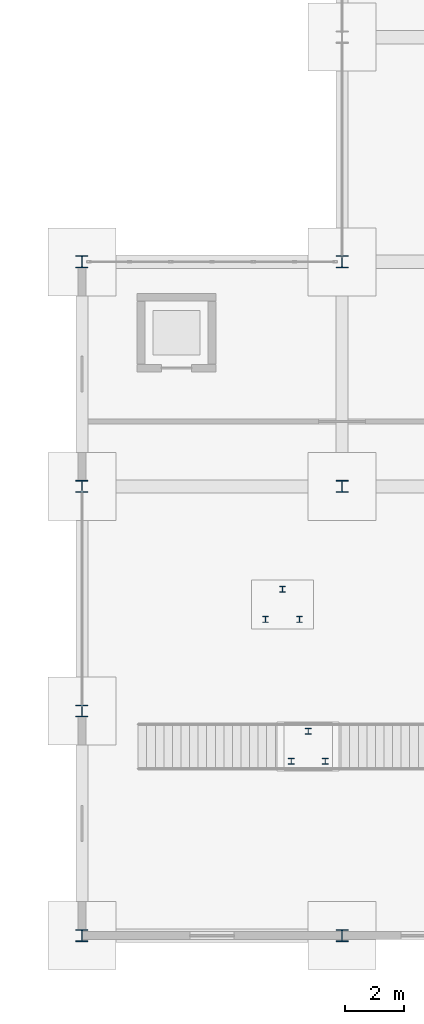
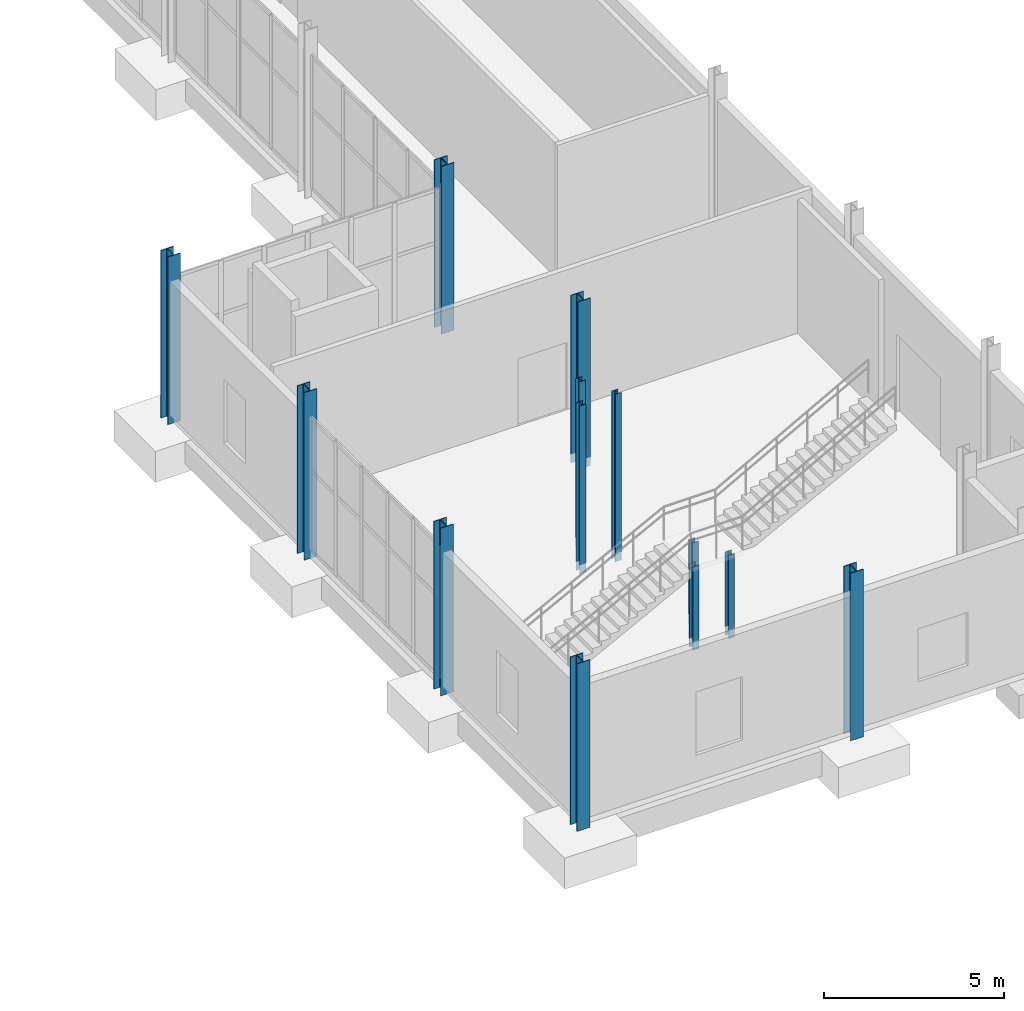
# One storey, part 16 of 95: 13 columns.
"""IFC4 building model written with IfcOpenShell, lengths in metres."""

from ifc_helpers import new_model, si_unit, direction, frame, origin, origin_2d, place, context, subcontext, project, spatial, i_section, extrude, material, material_profile, profile_set, type_object, element, save


model = new_model("IFC4")

# Units and contexts
model_context = context("Model", 3, precision=1e-05, world=origin(), true_north=direction((0.0, 1.0)))
body_context = subcontext(model_context, "Body", "Model", "MODEL_VIEW")
ifc_project = project(units=[si_unit("LENGTHUNIT", "METRE"), si_unit("AREAUNIT", "SQUARE_METRE"), si_unit("VOLUMEUNIT", "CUBIC_METRE"), si_unit("PLANEANGLEUNIT", "RADIAN"), si_unit("MASSUNIT", "GRAM", prefix="KILO")], contexts=[model_context])

# Site, building, storey
site_placement = place(None, origin())
site = spatial("IfcSite", under=ifc_project, at=site_placement, CompositionType="ELEMENT")
building_placement = place(site_placement, origin())
building = spatial("IfcBuilding", under=site, at=building_placement, Name="Shengluoqiao Park Theatre", CompositionType="ELEMENT")
storey_placement = place(building_placement, origin())
storey = spatial("IfcBuildingStorey", under=building, at=storey_placement, Name="L00", CompositionType="ELEMENT", Elevation=0.0)

# Columns
ifc_material_1 = material(Name="Steel Q355", Category="steel")
ifc_material_profile_1 = material_profile(ifc_material_1, i_section(OverallWidth=0.199951171875, OverallDepth=0.199951171875, WebThickness=0.008056640625, FlangeThickness=0.011962890625, FilletRadius=0.012939453125, at=origin_2d()), Name="HW 200x200x8x12")
ifc_profile_set_1 = profile_set([ifc_material_profile_1], Name="Steel Q355")
column_type_1 = type_object("IfcColumnType", Name="STR-COL-C-HW200", PredefinedType="COLUMN", material=ifc_profile_set_1)
for number, where, z_axis, x_axis, name in (
    (1, (155.47998046875, 5.89990234375, -0.300048828125), (0.0, 0.0, 1.0), (1.0, 0.0, 0.0), "ST-09-L00 Landing Column W"),
    (2, (156.6298828125, 5.89990234375, -0.300048828125), (0.0, 0.0, 1.0), (1.0, 0.0, 0.0), "ST-09-L00 Landing Column E"),
    (3, (156.054931640625, 6.919921875, -0.300048828125), (0.0, 0.0, 1.0), (1.0, 0.0, 0.0), "ST-09-L00 Landing Column N"),
):
    element("IfcColumn", number, at=place(storey_placement, frame(where, z_axis=z_axis, x_axis=x_axis)), inside=storey, type_object=column_type_1, Name=name, PredefinedType="COLUMN", context=body_context, shape_type="SweptSolid", body=[
        extrude(i_section(OverallWidth=0.199951171875, OverallDepth=0.199951171875, WebThickness=0.008056640625, FlangeThickness=0.011962890625, FilletRadius=0.012939453125, at=origin_2d()), origin(), (0.0, 0.0, 1.0), 2.830078125),
    ])
for number, where, z_axis, x_axis, name in (
    (4, (154.610107421875, 10.699951171875, -0.300048828125), (0.0, 0.0, 1.0), (1.0, 0.0, 0.0), "ST-09-L01 L00 Stack Column W"),
    (5, (155.760009765625, 10.699951171875, -0.300048828125), (0.0, 0.0, 1.0), (1.0, 0.0, 0.0), "ST-09-L01 L00 Stack Column E"),
    (6, (155.18505859375, 11.719970703125, -0.300048828125), (0.0, 0.0, 1.0), (1.0, 0.0, 0.0), "ST-09-L01 L00 Stack Column N"),
):
    element("IfcColumn", number, at=place(storey_placement, frame(where, z_axis=z_axis, x_axis=x_axis)), inside=storey, type_object=column_type_1, Name=name, PredefinedType="COLUMN", context=body_context, shape_type="SweptSolid", body=[
        extrude(i_section(OverallWidth=0.199951171875, OverallDepth=0.199951171875, WebThickness=0.008056640625, FlangeThickness=0.011962890625, FilletRadius=0.012939453125, at=origin_2d()), origin(), (0.0, 0.0, 1.0), 5.699951171875),
    ])
ifc_material_2 = material(Name="Steel Q390", Category="steel")
ifc_material_profile_2 = material_profile(ifc_material_2, i_section(OverallWidth=0.407958984375, OverallDepth=0.39990234375, WebThickness=0.02099609375, FlangeThickness=0.02099609375, FilletRadius=0.02197265625, at=origin_2d()), Name="HW 400x408x21x21")
ifc_profile_set_2 = profile_set([ifc_material_profile_2], Name="Steel Q390")
column_type_2 = type_object("IfcColumnType", Name="STR-COL-C-HW408", PredefinedType="COLUMN", material=ifc_profile_set_2)
for number, where, z_axis, x_axis, name in (
    (7, (148.39990234375, 0.0, -0.300048828125), (0.0, 0.0, 1.0), (1.0, 0.0, 0.0), "L00 Column 0715"),
    (8, (148.39990234375, 7.60009765625, -0.300048828125), (0.0, 0.0, 1.0), (1.0, 0.0, 0.0), "L00 Column 0718"),
    (9, (148.39990234375, 15.199951171875, -0.300048828125), (0.0, 0.0, 1.0), (1.0, 0.0, 0.0), "L00 Column 0721"),
    (10, (148.39990234375, 22.800048828125, -0.300048828125), (0.0, 0.0, 1.0), (1.0, 0.0, 0.0), "L00 Column 0724"),
    (11, (157.199951171875, 0.0, -0.300048828125), (0.0, 0.0, 1.0), (1.0, 0.0, 0.0), "L00 Column 0772"),
    (12, (157.199951171875, 15.199951171875, -0.300048828125), (0.0, 0.0, 1.0), (1.0, 0.0, 0.0), "L00 Column 0775"),
    (13, (157.199951171875, 22.800048828125, -0.300048828125), (0.0, 0.0, 1.0), (1.0, 0.0, 0.0), "L00 Column 0778"),
):
    element("IfcColumn", number, at=place(storey_placement, frame(where, z_axis=z_axis, x_axis=x_axis)), inside=storey, type_object=column_type_2, Name=name, PredefinedType="COLUMN", context=body_context, shape_type="SweptSolid", body=[
        extrude(i_section(OverallWidth=0.407958984375, OverallDepth=0.39990234375, WebThickness=0.02099609375, FlangeThickness=0.02099609375, FilletRadius=0.02197265625, at=origin_2d()), origin(), (0.0, 0.0, 1.0), 5.699951171875),
    ])

save(model, "model.ifc")
